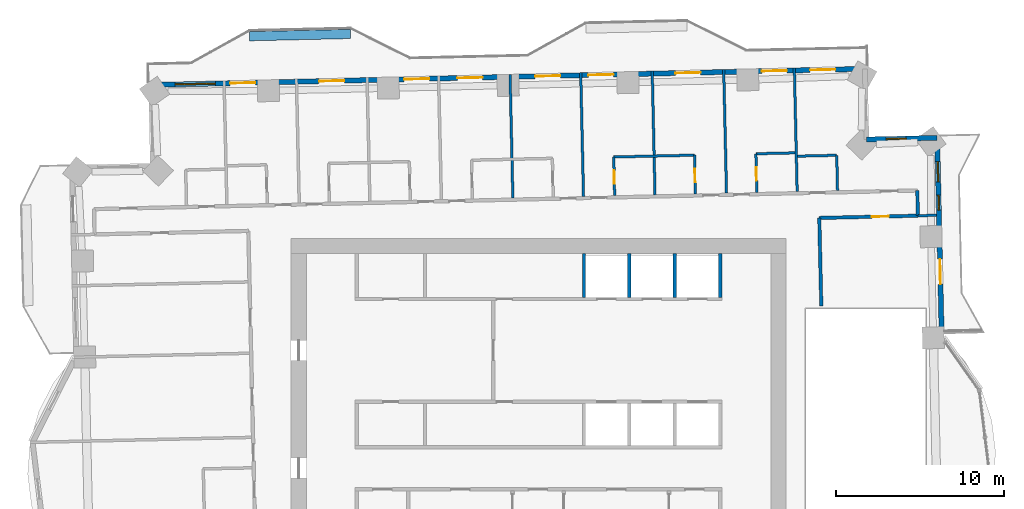
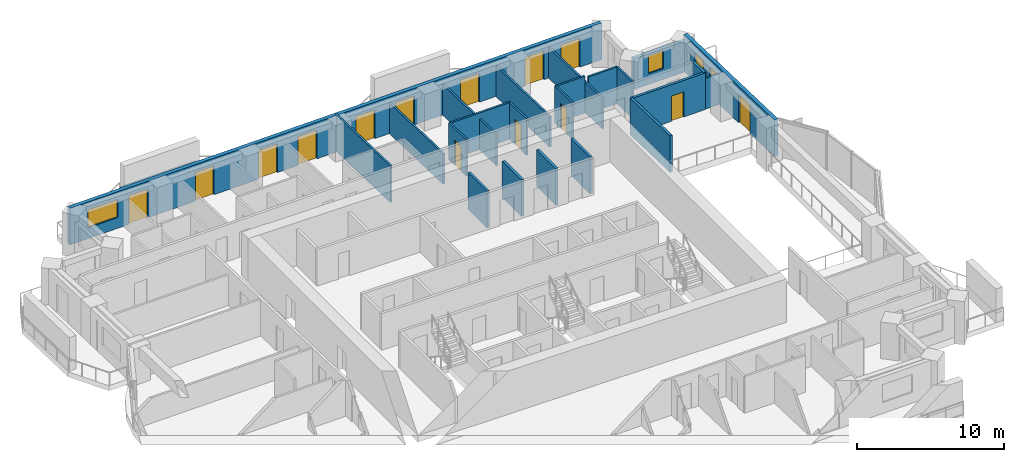
# One storey, part 11 of 16: 24 walls, 14 doors, 4 windows, 18 openings.
"""IFC4 building model written with IfcOpenShell, lengths in metres."""

from ifc_helpers import new_model, si_unit, direction, frame, frame_2d, origin, place, context, subcontext, project, spatial, rectangle, extrude, material, layer, layer_set, type_object, element, fill, save


model = new_model("IFC4")

# Units and contexts
model_context = context("Model", 3, precision=1e-05, world=origin(), true_north=direction((0.0, 1.0)))
body_context = subcontext(model_context, "Body", "Model", "MODEL_VIEW")
ifc_project = project(units=[si_unit("LENGTHUNIT", "METRE"), si_unit("AREAUNIT", "SQUARE_METRE"), si_unit("VOLUMEUNIT", "CUBIC_METRE"), si_unit("PLANEANGLEUNIT", "RADIAN"), si_unit("MASSUNIT", "GRAM", prefix="KILO")], contexts=[model_context])

# Site, building, storey
site_placement = place(None, origin())
site = spatial("IfcSite", under=ifc_project, at=site_placement, CompositionType="ELEMENT")
building_placement = place(site_placement, origin())
building = spatial("IfcBuilding", under=site, at=building_placement, Name="Mangrove Gate Tower", CompositionType="ELEMENT")
storey_placement = place(building_placement, frame((0.0, 0.0, 140.89990234375)))
storey = spatial("IfcBuildingStorey", under=building, at=storey_placement, Name="L35", CompositionType="ELEMENT", Elevation=140.89990234375)

# Walls
ifc_material_1 = material(Name="Concrete C70/85", Category="concrete")
ifc_layer_1 = layer(ifc_material_1, 0.199951171875)
ifc_layer_set_1 = layer_set([ifc_layer_1], Name="Core shaft wall 200 C70/85")
wall_type_1 = type_object("IfcWallType", Name="Core shaft wall 200 C70/85", PredefinedType="SHEAR", material=ifc_layer_set_1)
for number, where, z_axis, x_axis, name in (
    (1, (2.699951171875, 8.199951171875, 0.0), (0.0, 0.0, 1.0), (0.0, 1.0, 0.0), "WALL-L35-CORE-27"),
    (2, (5.39990234375, 8.199951171875, 0.0), (0.0, 0.0, 1.0), (0.0, 1.0, 0.0), "WALL-L35-CORE-28"),
    (3, (8.10009765625, 8.199951171875, 0.0), (0.0, 0.0, 1.0), (0.0, 1.0, 0.0), "WALL-L35-CORE-29"),
    (4, (10.800048828125, 8.199951171875, 0.0), (0.0, 0.0, 1.0), (0.0, 1.0, 0.0), "WALL-L35-CORE-30"),
):
    element("IfcWall", number, at=place(storey_placement, frame(where, z_axis=z_axis, x_axis=x_axis)), inside=storey, type_object=wall_type_1, Name=name, PredefinedType="SHEAR", context=body_context, shape_type="SweptSolid", body=[
        extrude(rectangle(XDim=2.60009765625, YDim=0.199951171875, at=frame_2d((1.300048828125, 0.0))), origin(), (0.0, 0.0, 1.0), 3.050048828125),
    ])
ifc_material_2 = material(Name="Gypsum board on steel stud, EI 60", Category="steel")
ifc_layer_2 = layer(ifc_material_2, 0.199951171875)
ifc_layer_set_2 = layer_set([ifc_layer_2], Name="Corridor wall EI 60")
wall_type_2 = type_object("IfcWallType", Name="Corridor wall EI 60", PredefinedType="PARTITIONING", material=ifc_layer_set_2)
wall_1_placement = place(storey_placement, frame((16.802978515625, 7.675048828125, 0.0), z_axis=(0.0, 0.0, 1.0), x_axis=(-0.022667483124, 0.999743059595, 0.0)))
element("IfcWall", 5, at=wall_1_placement, inside=storey, type_object=wall_type_2, Name="WALL-L35-047", PredefinedType="PARTITIONING", context=body_context, shape_type="SweptSolid", body=[
    extrude(rectangle(XDim=5.245361328125, YDim=0.199951171875, at=frame_2d((2.62255859375, 0.0))), origin(), (0.0, 0.0, 1.0), 3.050048828125),
])

# Wall, opening, door
wall_2_placement = place(storey_placement, frame((16.678955078125, 12.91796875, 0.0), z_axis=(0.0, 0.0, 1.0), x_axis=(0.999739057042, 0.022843332181, 0.0)))
wall_2 = element("IfcWall", 6, at=wall_2_placement, inside=storey, type_object=wall_type_2, Name="WALL-L35-052", PredefinedType="PARTITIONING", context=body_context, shape_type="SweptSolid", body=[
    extrude(rectangle(XDim=5.867431640625, YDim=0.199951171875, at=frame_2d((2.93359375, 0.0))), origin(), (0.0, 0.0, 1.0), 3.050048828125),
])
opening_1_placement = place(wall_2_placement, frame((3.134033203125, 0.0, 0.0)))
opening_1 = element("IfcOpeningElement", 7, at=opening_1_placement, cuts=wall_2, Name="Opening AD", PredefinedType="OPENING", context=body_context, shape_type="SweptSolid", body=[
    extrude(rectangle(XDim=1.0, YDim=2.10009765625, at=frame_2d((0.5, 1.050048828125))), frame((0.0, 0.10986328125, 0.0), z_axis=(0.0, -1.0, 0.0), x_axis=(1.0, 0.0, 0.0)), (0.0, 0.0, 1.0), 0.219970703125),
])
ifc_material_3 = material(Name="Timber door leaf", Category="wood")
door_type_1 = type_object("IfcDoorType", Name="Amenity door 1000", OperationType="SINGLE_SWING_LEFT", PredefinedType="DOOR", material=ifc_material_3)
door_1_placement = place(opening_1_placement, origin())
door_1 = element("IfcDoor", 8, at=door_1_placement, inside=storey, type_object=door_type_1, Name="DOOR-L35-GAM-c3b", OperationType="SINGLE_SWING_LEFT", OverallHeight=2.10009765625, OverallWidth=1.0, PredefinedType="DOOR", context=body_context, shape_type="SweptSolid", body=[
    extrude(rectangle(XDim=1.0, YDim=2.10009765625, at=frame_2d((0.5, 1.050048828125))), frame((0.0, 0.02490234375, 0.0), z_axis=(0.0, -1.0, 0.0), x_axis=(1.0, 0.0, 0.0)), (0.0, 0.0, 1.0), 0.050048828125),
])
fill(opening_1, door_1)

# Wall
wall_3_placement = place(storey_placement, frame((22.54296875, 13.052001953125, 0.0), z_axis=(0.0, 0.0, 1.0), x_axis=(-0.022632637625, 0.99974384905, 0.0)))
element("IfcWall", 9, at=wall_3_placement, inside=storey, type_object=wall_type_2, Name="WALL-L35-053", PredefinedType="PARTITIONING", context=body_context, shape_type="SweptSolid", body=[
    extrude(rectangle(XDim=1.49951171875, YDim=0.199951171875, at=frame_2d((0.749755859375, 0.0))), origin(), (0.0, 0.0, 1.0), 3.050048828125),
])

# Wall, openings, door, windows
ifc_material_4 = material(Name="Limestone", Category="masonry")
ifc_layer_3 = layer(ifc_material_4, 0.0400390625, Name="Limestone cladding")
ifc_material_5 = material(Name="Ventilated air gap")
ifc_layer_4 = layer(ifc_material_5, 0.0400390625, Name="Ventilated cavity")
ifc_material_6 = material(Name="Mineral wool insulation")
ifc_layer_5 = layer(ifc_material_6, 0.06005859375, Name="Insulation")
ifc_material_7 = material(Name="Breather membrane")
ifc_layer_6 = layer(ifc_material_7, 0.001953125, Name="Breather membrane")
ifc_material_8 = material(Name="Concrete C20/25 blockwork", Category="masonry")
ifc_layer_7 = layer(ifc_material_8, 0.14990234375, Name="Blockwork backing wall")
ifc_material_9 = material(Name="Gypsum plaster")
ifc_layer_8 = layer(ifc_material_9, 0.008056640625, Name="Internal plaster")
ifc_layer_set_3 = layer_set([ifc_layer_3, ifc_layer_4, ifc_layer_5, ifc_layer_6, ifc_layer_7, ifc_layer_8], Name="External wall 300 limestone cladding")
wall_type_3 = type_object("IfcWallType", Name="External wall 300 limestone cladding", PredefinedType="SOLIDWALL", material=ifc_layer_set_3)
wall_4_placement = place(storey_placement, frame((23.9609375, 5.751953125, 0.0), z_axis=(0.0, 0.0, 1.0), x_axis=(-0.022715362207, 0.999741972871, 0.0)))
wall_4 = element("IfcWall", 10, at=wall_4_placement, inside=storey, type_object=wall_type_3, Name="WALL-L35-E2", PredefinedType="SOLIDWALL", context=body_context, shape_type="SweptSolid", body=[
    extrude(rectangle(XDim=11.93017578125, YDim=0.300048828125, at=frame_2d((5.965087890625, 0.0))), origin(), (0.0, 0.0, 1.0), 3.050048828125),
])
opening_2_placement = place(wall_4_placement, frame((3.22802734375, 0.0, 0.0)))
opening_2 = element("IfcOpeningElement", 11, at=opening_2_placement, cuts=wall_4, Name="Opening BD1", PredefinedType="OPENING", context=body_context, shape_type="SweptSolid", body=[
    extrude(rectangle(XDim=1.5, YDim=2.39990234375, at=frame_2d((0.75, 1.199951171875))), frame((0.0, 0.159912109375, 0.0), z_axis=(0.0, -1.0, 0.0), x_axis=(1.0, 0.0, 0.0)), (0.0, 0.0, 1.0), 0.320068359375),
])
opening_3_placement = place(wall_4_placement, frame((7.62890625, 0.0, 0.89990234375)))
opening_3 = element("IfcOpeningElement", 12, at=opening_3_placement, cuts=wall_4, Name="Opening W5", PredefinedType="OPENING", context=body_context, shape_type="SweptSolid", body=[
    extrude(rectangle(XDim=0.89990234375, YDim=1.5, at=frame_2d((0.449951171875, 0.75))), frame((0.0, 0.159912109375, 0.0), z_axis=(0.0, -1.0, 0.0), x_axis=(1.0, 0.0, 0.0)), (0.0, 0.0, 1.0), 0.320068359375),
])
opening_4_placement = place(wall_4_placement, frame((9.31591796875, 0.0, 0.89990234375)))
opening_4 = element("IfcOpeningElement", 13, at=opening_4_placement, cuts=wall_4, Name="Opening W1", PredefinedType="OPENING", context=body_context, shape_type="SweptSolid", body=[
    extrude(rectangle(XDim=1.199951171875, YDim=1.5, at=frame_2d((0.60009765625, 0.75))), frame((0.0, 0.159912109375, 0.0), z_axis=(0.0, -1.0, 0.0), x_axis=(1.0, 0.0, 0.0)), (0.0, 0.0, 1.0), 0.320068359375),
])
ifc_material_10 = material(Name="Aluminium frame with laminated clear glass", Category="aluminium")
door_type_2 = type_object("IfcDoorType", Name="Balcony sliding door 1500x2400", OperationType="SLIDING_TO_LEFT", PredefinedType="DOOR", material=ifc_material_10)
door_2_placement = place(opening_2_placement, origin())
door_2 = element("IfcDoor", 14, at=door_2_placement, inside=storey, type_object=door_type_2, Name="DOOR-L35-E2-1", OperationType="SLIDING_TO_LEFT", OverallHeight=2.39990234375, OverallWidth=1.5, PredefinedType="DOOR", context=body_context, shape_type="SweptSolid", body=[
    extrude(rectangle(XDim=1.5, YDim=2.39990234375, at=frame_2d((0.75, 1.199951171875))), frame((0.0, 0.02490234375, 0.0), z_axis=(0.0, -1.0, 0.0), x_axis=(1.0, 0.0, 0.0)), (0.0, 0.0, 1.0), 0.050048828125),
])
fill(opening_2, door_2)
ifc_material_11 = material(Name="Aluminium frame with double-glazed low-e glass", Category="aluminium")
window_type_1 = type_object("IfcWindowType", Name="Narrow window 900x1500", PartitioningType="SINGLE_PANEL", PredefinedType="WINDOW", material=ifc_material_11)
window_1_placement = place(opening_3_placement, origin())
window_1 = element("IfcWindow", 15, at=window_1_placement, inside=storey, type_object=window_type_1, Name="WIN-L35-E2-2", OverallHeight=1.5, OverallWidth=0.89990234375, PartitioningType="SINGLE_PANEL", PredefinedType="WINDOW", context=body_context, shape_type="SweptSolid", body=[
    extrude(rectangle(XDim=0.89990234375, YDim=1.5, at=frame_2d((0.449951171875, 0.75))), frame((0.0, 0.030029296875, 0.0), z_axis=(0.0, -1.0, 0.0), x_axis=(1.0, 0.0, 0.0)), (0.0, 0.0, 1.0), 0.06005859375),
])
fill(opening_3, window_1)
ifc_material_12 = material(Name="Aluminium frame with double-glazed low-e glass", Category="aluminium")
window_type_2 = type_object("IfcWindowType", Name="Side lite 1200x1500", PartitioningType="SINGLE_PANEL", PredefinedType="WINDOW", material=ifc_material_12)
window_2_placement = place(opening_4_placement, origin())
window_2 = element("IfcWindow", 16, at=window_2_placement, inside=storey, type_object=window_type_2, Name="WIN-L35-E2-3", OverallHeight=1.5, OverallWidth=1.199951171875, PartitioningType="SINGLE_PANEL", PredefinedType="WINDOW", context=body_context, shape_type="SweptSolid", body=[
    extrude(rectangle(XDim=1.199951171875, YDim=1.5, at=frame_2d((0.60009765625, 0.75))), frame((0.0, 0.030029296875, 0.0), z_axis=(0.0, -1.0, 0.0), x_axis=(1.0, 0.0, 0.0)), (0.0, 0.0, 1.0), 0.06005859375),
])
fill(opening_4, window_2)

# Wall, opening, window
wall_5_placement = place(storey_placement, frame((23.68994140625, 17.678955078125, 0.0), z_axis=(0.0, 0.0, 1.0), x_axis=(-0.999739037152, -0.022844202663, 0.0)))
wall_5 = element("IfcWall", 17, at=wall_5_placement, inside=storey, type_object=wall_type_3, Name="WALL-L35-N3", PredefinedType="SOLIDWALL", context=body_context, shape_type="SweptSolid", body=[
    extrude(rectangle(XDim=4.199951171875, YDim=0.300048828125, at=frame_2d((2.10009765625, 0.0))), origin(), (0.0, 0.0, 1.0), 2.550048828125),
])
opening_5_placement = place(wall_5_placement, frame((1.839111328125, 0.0, 0.89990234375)))
opening_5 = element("IfcOpeningElement", 18, at=opening_5_placement, cuts=wall_5, Name="Opening W1", PredefinedType="OPENING", context=body_context, shape_type="SweptSolid", body=[
    extrude(rectangle(XDim=1.199951171875, YDim=1.5, at=frame_2d((0.60009765625, 0.75))), frame((0.0, 0.159912109375, 0.0), z_axis=(0.0, -1.0, 0.0), x_axis=(1.0, 0.0, 0.0)), (0.0, 0.0, 1.0), 0.320068359375),
])
window_3_placement = place(opening_5_placement, origin())
window_3 = element("IfcWindow", 19, at=window_3_placement, inside=storey, type_object=window_type_2, Name="WIN-L35-N3-1", OverallHeight=1.5, OverallWidth=1.199951171875, PartitioningType="SINGLE_PANEL", PredefinedType="WINDOW", context=body_context, shape_type="SweptSolid", body=[
    extrude(rectangle(XDim=1.199951171875, YDim=1.5, at=frame_2d((0.60009765625, 0.75))), frame((0.0, 0.030029296875, 0.0), z_axis=(0.0, -1.0, 0.0), x_axis=(1.0, 0.0, 0.0)), (0.0, 0.0, 1.0), 0.06005859375),
])
fill(opening_5, window_3)

# Wall, openings, doors, window
wall_6_placement = place(storey_placement, frame((19.39599609375, 21.781982421875, 0.0), z_axis=(0.0, 0.0, 1.0), x_axis=(-0.999742636707, -0.022686126826, 0.0)))
wall_6 = element("IfcWall", 20, at=wall_6_placement, inside=storey, type_object=wall_type_3, Name="WALL-L35-N5", PredefinedType="SOLIDWALL", context=body_context, shape_type="SweptSolid", body=[
    extrude(rectangle(XDim=42.444091796875, YDim=0.300048828125, at=frame_2d((21.22216796875, 0.0))), origin(), (0.0, 0.0, 1.0), 3.050048828125),
])
opening_6_placement = place(wall_6_placement, frame((1.757080078125, 0.0, 0.0)))
opening_6 = element("IfcOpeningElement", 21, at=opening_6_placement, cuts=wall_6, Name="Opening BD1", PredefinedType="OPENING", context=body_context, shape_type="SweptSolid", body=[
    extrude(rectangle(XDim=1.5, YDim=2.39990234375, at=frame_2d((0.75, 1.199951171875))), frame((0.0, 0.159912109375, 0.0), z_axis=(0.0, -1.0, 0.0), x_axis=(1.0, 0.0, 0.0)), (0.0, 0.0, 1.0), 0.320068359375),
])
opening_7_placement = place(wall_6_placement, frame((4.634033203125, 0.0, 0.0)))
opening_7 = element("IfcOpeningElement", 22, at=opening_7_placement, cuts=wall_6, Name="Opening BD1", PredefinedType="OPENING", context=body_context, shape_type="SweptSolid", body=[
    extrude(rectangle(XDim=1.5, YDim=2.39990234375, at=frame_2d((0.75, 1.199951171875))), frame((0.0, 0.159912109375, 0.0), z_axis=(0.0, -1.0, 0.0), x_axis=(1.0, 0.0, 0.0)), (0.0, 0.0, 1.0), 0.320068359375),
])
opening_8_placement = place(wall_6_placement, frame((9.76904296875, 0.0, 0.0)))
opening_8 = element("IfcOpeningElement", 23, at=opening_8_placement, cuts=wall_6, Name="Opening BD1", PredefinedType="OPENING", context=body_context, shape_type="SweptSolid", body=[
    extrude(rectangle(XDim=1.5, YDim=2.39990234375, at=frame_2d((0.75, 1.199951171875))), frame((0.0, 0.159912109375, 0.0), z_axis=(0.0, -1.0, 0.0), x_axis=(1.0, 0.0, 0.0)), (0.0, 0.0, 1.0), 0.320068359375),
])
opening_9_placement = place(wall_6_placement, frame((14.946044921875, 0.0, 0.0)))
opening_9 = element("IfcOpeningElement", 24, at=opening_9_placement, cuts=wall_6, Name="Opening BD1", PredefinedType="OPENING", context=body_context, shape_type="SweptSolid", body=[
    extrude(rectangle(XDim=1.5, YDim=2.39990234375, at=frame_2d((0.75, 1.199951171875))), frame((0.0, 0.159912109375, 0.0), z_axis=(0.0, -1.0, 0.0), x_axis=(1.0, 0.0, 0.0)), (0.0, 0.0, 1.0), 0.320068359375),
])
opening_10_placement = place(wall_6_placement, frame((18.10791015625, 0.0, 0.0)))
opening_10 = element("IfcOpeningElement", 25, at=opening_10_placement, cuts=wall_6, Name="Opening BD1", PredefinedType="OPENING", context=body_context, shape_type="SweptSolid", body=[
    extrude(rectangle(XDim=1.5, YDim=2.39990234375, at=frame_2d((0.75, 1.199951171875))), frame((0.0, 0.159912109375, 0.0), z_axis=(0.0, -1.0, 0.0), x_axis=(1.0, 0.0, 0.0)), (0.0, 0.0, 1.0), 0.320068359375),
])
opening_11_placement = place(wall_6_placement, frame((22.73291015625, 0.0, 0.0)))
opening_11 = element("IfcOpeningElement", 26, at=opening_11_placement, cuts=wall_6, Name="Opening BD1", PredefinedType="OPENING", context=body_context, shape_type="SweptSolid", body=[
    extrude(rectangle(XDim=1.5, YDim=2.39990234375, at=frame_2d((0.75, 1.199951171875))), frame((0.0, 0.159912109375, 0.0), z_axis=(0.0, -1.0, 0.0), x_axis=(1.0, 0.0, 0.0)), (0.0, 0.0, 1.0), 0.320068359375),
])
opening_12_placement = place(wall_6_placement, frame((25.89501953125, 0.0, 0.0)))
opening_12 = element("IfcOpeningElement", 27, at=opening_12_placement, cuts=wall_6, Name="Opening BD1", PredefinedType="OPENING", context=body_context, shape_type="SweptSolid", body=[
    extrude(rectangle(XDim=1.5, YDim=2.39990234375, at=frame_2d((0.75, 1.199951171875))), frame((0.0, 0.159912109375, 0.0), z_axis=(0.0, -1.0, 0.0), x_axis=(1.0, 0.0, 0.0)), (0.0, 0.0, 1.0), 0.320068359375),
])
opening_13_placement = place(wall_6_placement, frame((30.944091796875, 0.0, 0.0)))
opening_13 = element("IfcOpeningElement", 28, at=opening_13_placement, cuts=wall_6, Name="Opening BD1", PredefinedType="OPENING", context=body_context, shape_type="SweptSolid", body=[
    extrude(rectangle(XDim=1.5, YDim=2.39990234375, at=frame_2d((0.75, 1.199951171875))), frame((0.0, 0.159912109375, 0.0), z_axis=(0.0, -1.0, 0.0), x_axis=(1.0, 0.0, 0.0)), (0.0, 0.0, 1.0), 0.320068359375),
])
opening_14_placement = place(wall_6_placement, frame((36.23193359375, 0.0, 0.0)))
opening_14 = element("IfcOpeningElement", 29, at=opening_14_placement, cuts=wall_6, Name="Opening BD1", PredefinedType="OPENING", context=body_context, shape_type="SweptSolid", body=[
    extrude(rectangle(XDim=1.5, YDim=2.39990234375, at=frame_2d((0.75, 1.199951171875))), frame((0.0, 0.159912109375, 0.0), z_axis=(0.0, -1.0, 0.0), x_axis=(1.0, 0.0, 0.0)), (0.0, 0.0, 1.0), 0.320068359375),
])
opening_15_placement = place(wall_6_placement, frame((38.612060546875, 0.0, 0.89990234375)))
opening_15 = element("IfcOpeningElement", 30, at=opening_15_placement, cuts=wall_6, Name="Opening W2", PredefinedType="OPENING", context=body_context, shape_type="SweptSolid", body=[
    extrude(rectangle(XDim=2.39990234375, YDim=1.5, at=frame_2d((1.199951171875, 0.75))), frame((0.0, 0.159912109375, 0.0), z_axis=(0.0, -1.0, 0.0), x_axis=(1.0, 0.0, 0.0)), (0.0, 0.0, 1.0), 0.320068359375),
])
door_3_placement = place(opening_6_placement, origin())
door_3 = element("IfcDoor", 31, at=door_3_placement, inside=storey, type_object=door_type_2, Name="DOOR-L35-N5-1", OperationType="SLIDING_TO_LEFT", OverallHeight=2.39990234375, OverallWidth=1.5, PredefinedType="DOOR", context=body_context, shape_type="SweptSolid", body=[
    extrude(rectangle(XDim=1.5, YDim=2.39990234375, at=frame_2d((0.75, 1.199951171875))), frame((0.0, 0.02490234375, 0.0), z_axis=(0.0, -1.0, 0.0), x_axis=(1.0, 0.0, 0.0)), (0.0, 0.0, 1.0), 0.050048828125),
])
fill(opening_6, door_3)
door_4_placement = place(opening_7_placement, origin())
door_4 = element("IfcDoor", 32, at=door_4_placement, inside=storey, type_object=door_type_2, Name="DOOR-L35-N5-2", OperationType="SLIDING_TO_LEFT", OverallHeight=2.39990234375, OverallWidth=1.5, PredefinedType="DOOR", context=body_context, shape_type="SweptSolid", body=[
    extrude(rectangle(XDim=1.5, YDim=2.39990234375, at=frame_2d((0.75, 1.199951171875))), frame((0.0, 0.02490234375, 0.0), z_axis=(0.0, -1.0, 0.0), x_axis=(1.0, 0.0, 0.0)), (0.0, 0.0, 1.0), 0.050048828125),
])
fill(opening_7, door_4)
door_5_placement = place(opening_8_placement, origin())
door_5 = element("IfcDoor", 33, at=door_5_placement, inside=storey, type_object=door_type_2, Name="DOOR-L35-N5-3", OperationType="SLIDING_TO_LEFT", OverallHeight=2.39990234375, OverallWidth=1.5, PredefinedType="DOOR", context=body_context, shape_type="SweptSolid", body=[
    extrude(rectangle(XDim=1.5, YDim=2.39990234375, at=frame_2d((0.75, 1.199951171875))), frame((0.0, 0.02490234375, 0.0), z_axis=(0.0, -1.0, 0.0), x_axis=(1.0, 0.0, 0.0)), (0.0, 0.0, 1.0), 0.050048828125),
])
fill(opening_8, door_5)
door_6_placement = place(opening_9_placement, origin())
door_6 = element("IfcDoor", 34, at=door_6_placement, inside=storey, type_object=door_type_2, Name="DOOR-L35-N5-4", OperationType="SLIDING_TO_LEFT", OverallHeight=2.39990234375, OverallWidth=1.5, PredefinedType="DOOR", context=body_context, shape_type="SweptSolid", body=[
    extrude(rectangle(XDim=1.5, YDim=2.39990234375, at=frame_2d((0.75, 1.199951171875))), frame((0.0, 0.02490234375, 0.0), z_axis=(0.0, -1.0, 0.0), x_axis=(1.0, 0.0, 0.0)), (0.0, 0.0, 1.0), 0.050048828125),
])
fill(opening_9, door_6)
door_7_placement = place(opening_10_placement, origin())
door_7 = element("IfcDoor", 35, at=door_7_placement, inside=storey, type_object=door_type_2, Name="DOOR-L35-N5-5", OperationType="SLIDING_TO_LEFT", OverallHeight=2.39990234375, OverallWidth=1.5, PredefinedType="DOOR", context=body_context, shape_type="SweptSolid", body=[
    extrude(rectangle(XDim=1.5, YDim=2.39990234375, at=frame_2d((0.75, 1.199951171875))), frame((0.0, 0.02490234375, 0.0), z_axis=(0.0, -1.0, 0.0), x_axis=(1.0, 0.0, 0.0)), (0.0, 0.0, 1.0), 0.050048828125),
])
fill(opening_10, door_7)
door_8_placement = place(opening_11_placement, origin())
door_8 = element("IfcDoor", 36, at=door_8_placement, inside=storey, type_object=door_type_2, Name="DOOR-L35-N5-6", OperationType="SLIDING_TO_LEFT", OverallHeight=2.39990234375, OverallWidth=1.5, PredefinedType="DOOR", context=body_context, shape_type="SweptSolid", body=[
    extrude(rectangle(XDim=1.5, YDim=2.39990234375, at=frame_2d((0.75, 1.199951171875))), frame((0.0, 0.02490234375, 0.0), z_axis=(0.0, -1.0, 0.0), x_axis=(1.0, 0.0, 0.0)), (0.0, 0.0, 1.0), 0.050048828125),
])
fill(opening_11, door_8)
door_9_placement = place(opening_12_placement, origin())
door_9 = element("IfcDoor", 37, at=door_9_placement, inside=storey, type_object=door_type_2, Name="DOOR-L35-N5-7", OperationType="SLIDING_TO_LEFT", OverallHeight=2.39990234375, OverallWidth=1.5, PredefinedType="DOOR", context=body_context, shape_type="SweptSolid", body=[
    extrude(rectangle(XDim=1.5, YDim=2.39990234375, at=frame_2d((0.75, 1.199951171875))), frame((0.0, 0.02490234375, 0.0), z_axis=(0.0, -1.0, 0.0), x_axis=(1.0, 0.0, 0.0)), (0.0, 0.0, 1.0), 0.050048828125),
])
fill(opening_12, door_9)
door_10_placement = place(opening_13_placement, origin())
door_10 = element("IfcDoor", 38, at=door_10_placement, inside=storey, type_object=door_type_2, Name="DOOR-L35-N5-8", OperationType="SLIDING_TO_LEFT", OverallHeight=2.39990234375, OverallWidth=1.5, PredefinedType="DOOR", context=body_context, shape_type="SweptSolid", body=[
    extrude(rectangle(XDim=1.5, YDim=2.39990234375, at=frame_2d((0.75, 1.199951171875))), frame((0.0, 0.02490234375, 0.0), z_axis=(0.0, -1.0, 0.0), x_axis=(1.0, 0.0, 0.0)), (0.0, 0.0, 1.0), 0.050048828125),
])
fill(opening_13, door_10)
door_11_placement = place(opening_14_placement, origin())
door_11 = element("IfcDoor", 39, at=door_11_placement, inside=storey, type_object=door_type_2, Name="DOOR-L35-N5-9", OperationType="SLIDING_TO_LEFT", OverallHeight=2.39990234375, OverallWidth=1.5, PredefinedType="DOOR", context=body_context, shape_type="SweptSolid", body=[
    extrude(rectangle(XDim=1.5, YDim=2.39990234375, at=frame_2d((0.75, 1.199951171875))), frame((0.0, 0.02490234375, 0.0), z_axis=(0.0, -1.0, 0.0), x_axis=(1.0, 0.0, 0.0)), (0.0, 0.0, 1.0), 0.050048828125),
])
fill(opening_14, door_11)
ifc_material_13 = material(Name="Aluminium frame with double-glazed low-e glass", Category="aluminium")
window_type_3 = type_object("IfcWindowType", Name="Corner room window 2400x1500", PartitioningType="DOUBLE_PANEL_VERTICAL", PredefinedType="WINDOW", material=ifc_material_13)
window_4_placement = place(opening_15_placement, origin())
window_4 = element("IfcWindow", 40, at=window_4_placement, inside=storey, type_object=window_type_3, Name="WIN-L35-N5-10", OverallHeight=1.5, OverallWidth=2.39990234375, PartitioningType="DOUBLE_PANEL_VERTICAL", PredefinedType="WINDOW", context=body_context, shape_type="SweptSolid", body=[
    extrude(rectangle(XDim=2.39990234375, YDim=1.5, at=frame_2d((1.199951171875, 0.75))), frame((0.0, 0.030029296875, 0.0), z_axis=(0.0, -1.0, 0.0), x_axis=(1.0, 0.0, 0.0)), (0.0, 0.0, 1.0), 0.06005859375),
])
fill(opening_15, window_4)

# Walls
ifc_material_14 = material(Name="Gypsum board on steel stud, EI 60", Category="steel")
ifc_layer_9 = layer(ifc_material_14, 0.14990234375)
ifc_layer_set_4 = layer_set([ifc_layer_9], Name="Party wall 150 EI 60")
wall_type_4 = type_object("IfcWallType", Name="Party wall 150 EI 60", PredefinedType="PARTITIONING", material=ifc_layer_set_4)
wall_7_placement = place(storey_placement, frame((22.544921875, 13.052001953125, 0.0), z_axis=(0.0, 0.0, 1.0), x_axis=(0.999743438074, 0.022650784248, 0.0)))
element("IfcWall", 41, at=wall_7_placement, inside=storey, type_object=wall_type_4, Name="WALL-L35-054", PredefinedType="PARTITIONING", context=body_context, shape_type="SweptSolid", body=[
    extrude(rectangle(XDim=1.099365234375, YDim=0.14990234375, at=frame_2d((0.5498046875, 0.0))), origin(), (0.0, 0.0, 1.0), 2.550048828125),
])
wall_8_placement = place(storey_placement, frame((-1.527099609375, 14.10595703125, 0.0), z_axis=(0.0, 0.0, 1.0), x_axis=(-0.022719896304, 0.99974186984, 0.0)))
element("IfcWall", 42, at=wall_8_placement, inside=storey, type_object=wall_type_4, Name="WALL-L35-065", PredefinedType="PARTITIONING", context=body_context, shape_type="SweptSolid", body=[
    extrude(rectangle(XDim=7.35009765625, YDim=0.14990234375, at=frame_2d((3.675048828125, 0.0))), origin(), (0.0, 0.0, 1.0), 3.050048828125),
])
wall_9_placement = place(storey_placement, frame((2.6708984375, 14.200927734375, 0.0), z_axis=(0.0, 0.0, 1.0), x_axis=(-0.022587099398, 0.999744878927, 0.0)))
element("IfcWall", 43, at=wall_9_placement, inside=storey, type_object=wall_type_4, Name="WALL-L35-067", PredefinedType="PARTITIONING", context=body_context, shape_type="SweptSolid", body=[
    extrude(rectangle(XDim=7.35009765625, YDim=0.14990234375, at=frame_2d((3.675048828125, 0.0))), origin(), (0.0, 0.0, 1.0), 2.550048828125),
])

# Wall, opening, door
wall_10_placement = place(storey_placement, frame((4.52099609375, 14.242919921875, 0.0), z_axis=(0.0, 0.0, 1.0), x_axis=(-0.022612884682, 0.999744296031, 0.0)))
wall_10 = element("IfcWall", 44, at=wall_10_placement, inside=storey, type_object=wall_type_4, Name="WALL-L35-068", PredefinedType="PARTITIONING", context=body_context, shape_type="SweptSolid", body=[
    extrude(rectangle(XDim=2.299560546875, YDim=0.14990234375, at=frame_2d((1.14990234375, 0.0))), origin(), (0.0, 0.0, 1.0), 3.050048828125),
])
opening_16_placement = place(wall_10_placement, frame((0.699951171875, 0.0, 0.0)))
opening_16 = element("IfcOpeningElement", 45, at=opening_16_placement, cuts=wall_10, Name="Opening ED", PredefinedType="OPENING", context=body_context, shape_type="SweptSolid", body=[
    extrude(rectangle(XDim=0.800048828125, YDim=2.10009765625, at=frame_2d((0.39990234375, 1.050048828125))), frame((0.0, 0.0849609375, 0.0), z_axis=(0.0, -1.0, 0.0), x_axis=(1.0, 0.0, 0.0)), (0.0, 0.0, 1.0), 0.169921875),
])
ifc_material_15 = material(Name="Timber door leaf", Category="wood")
door_type_3 = type_object("IfcDoorType", Name="En-suite door 800", OperationType="SINGLE_SWING_LEFT", PredefinedType="DOOR", material=ifc_material_15)
door_12_placement = place(opening_16_placement, origin())
door_12 = element("IfcDoor", 46, at=door_12_placement, inside=storey, type_object=door_type_3, Name="DOOR-L35-ENS-c410", OperationType="SINGLE_SWING_RIGHT", OverallHeight=2.10009765625, OverallWidth=0.800048828125, PredefinedType="DOOR", context=body_context, shape_type="SweptSolid", body=[
    extrude(rectangle(XDim=0.800048828125, YDim=2.10009765625, at=frame_2d((0.39990234375, 1.050048828125))), frame((0.0, 0.02490234375, 0.0), z_axis=(0.0, -1.0, 0.0), x_axis=(1.0, 0.0, 0.0)), (0.0, 0.0, 1.0), 0.050048828125),
])
fill(opening_16, door_12)

# Wall
wall_11_placement = place(storey_placement, frame((6.919921875, 14.297119140625, 0.0), z_axis=(0.0, 0.0, 1.0), x_axis=(-0.022584849415, 0.999744929758, 0.0)))
element("IfcWall", 47, at=wall_11_placement, inside=storey, type_object=wall_type_4, Name="WALL-L35-069", PredefinedType="PARTITIONING", context=body_context, shape_type="SweptSolid", body=[
    extrude(rectangle(XDim=7.350830078125, YDim=0.14990234375, at=frame_2d((3.67529296875, 0.0))), origin(), (0.0, 0.0, 1.0), 2.550048828125),
])

# Wall, opening, door
wall_12_placement = place(storey_placement, frame((9.320068359375, 14.35205078125, 0.0), z_axis=(0.0, 0.0, 1.0), x_axis=(-0.022615284993, 0.999744241736, 0.0)))
wall_12 = element("IfcWall", 48, at=wall_12_placement, inside=storey, type_object=wall_type_4, Name="WALL-L35-070", PredefinedType="PARTITIONING", context=body_context, shape_type="SweptSolid", body=[
    extrude(rectangle(XDim=2.29931640625, YDim=0.14990234375, at=frame_2d((1.149658203125, 0.0))), origin(), (0.0, 0.0, 1.0), 3.050048828125),
])
opening_17_placement = place(wall_12_placement, frame((0.699951171875, 0.0, 0.0)))
opening_17 = element("IfcOpeningElement", 49, at=opening_17_placement, cuts=wall_12, Name="Opening ED", PredefinedType="OPENING", context=body_context, shape_type="SweptSolid", body=[
    extrude(rectangle(XDim=0.800048828125, YDim=2.10009765625, at=frame_2d((0.39990234375, 1.050048828125))), frame((0.0, 0.0849609375, 0.0), z_axis=(0.0, -1.0, 0.0), x_axis=(1.0, 0.0, 0.0)), (0.0, 0.0, 1.0), 0.169921875),
])
door_13_placement = place(opening_17_placement, origin())
door_13 = element("IfcDoor", 50, at=door_13_placement, inside=storey, type_object=door_type_3, Name="DOOR-L35-ENS-c309", OperationType="SINGLE_SWING_LEFT", OverallHeight=2.10009765625, OverallWidth=0.800048828125, PredefinedType="DOOR", context=body_context, shape_type="SweptSolid", body=[
    extrude(rectangle(XDim=0.800048828125, YDim=2.10009765625, at=frame_2d((0.39990234375, 1.050048828125))), frame((0.0, 0.02490234375, 0.0), z_axis=(0.0, -1.0, 0.0), x_axis=(1.0, 0.0, 0.0)), (0.0, 0.0, 1.0), 0.050048828125),
])
fill(opening_17, door_13)

# Wall
wall_13_placement = place(storey_placement, frame((11.1689453125, 14.39404296875, 0.0), z_axis=(0.0, 0.0, 1.0), x_axis=(-0.022587849492, 0.99974486198, 0.0)))
element("IfcWall", 51, at=wall_13_placement, inside=storey, type_object=wall_type_4, Name="WALL-L35-071", PredefinedType="PARTITIONING", context=body_context, shape_type="SweptSolid", body=[
    extrude(rectangle(XDim=7.349853515625, YDim=0.14990234375, at=frame_2d((3.6748046875, 0.0))), origin(), (0.0, 0.0, 1.0), 2.550048828125),
])

# Wall, opening, door
wall_14_placement = place(storey_placement, frame((12.968994140625, 14.43505859375, 0.0), z_axis=(0.0, 0.0, 1.0), x_axis=(-0.022615284993, 0.999744241736, 0.0)))
wall_14 = element("IfcWall", 52, at=wall_14_placement, inside=storey, type_object=wall_type_4, Name="WALL-L35-072", PredefinedType="PARTITIONING", context=body_context, shape_type="SweptSolid", body=[
    extrude(rectangle(XDim=2.29931640625, YDim=0.14990234375, at=frame_2d((1.149658203125, 0.0))), origin(), (0.0, 0.0, 1.0), 3.050048828125),
])
opening_18_placement = place(wall_14_placement, frame((0.699951171875, 0.0, 0.0)))
opening_18 = element("IfcOpeningElement", 53, at=opening_18_placement, cuts=wall_14, Name="Opening ED", PredefinedType="OPENING", context=body_context, shape_type="SweptSolid", body=[
    extrude(rectangle(XDim=0.800048828125, YDim=2.10009765625, at=frame_2d((0.39990234375, 1.050048828125))), frame((0.0, 0.0849609375, 0.0), z_axis=(0.0, -1.0, 0.0), x_axis=(1.0, 0.0, 0.0)), (0.0, 0.0, 1.0), 0.169921875),
])
door_14_placement = place(opening_18_placement, origin())
door_14 = element("IfcDoor", 54, at=door_14_placement, inside=storey, type_object=door_type_3, Name="DOOR-L35-ENS-c308", OperationType="SINGLE_SWING_RIGHT", OverallHeight=2.10009765625, OverallWidth=0.800048828125, PredefinedType="DOOR", context=body_context, shape_type="SweptSolid", body=[
    extrude(rectangle(XDim=0.800048828125, YDim=2.10009765625, at=frame_2d((0.39990234375, 1.050048828125))), frame((0.0, 0.02490234375, 0.0), z_axis=(0.0, -1.0, 0.0), x_axis=(1.0, 0.0, 0.0)), (0.0, 0.0, 1.0), 0.050048828125),
])
fill(opening_18, door_14)

# Walls
wall_15_placement = place(storey_placement, frame((15.367919921875, 14.489013671875, 0.0), z_axis=(0.0, 0.0, 1.0), x_axis=(-0.022720650804, 0.999741852694, 0.0)))
element("IfcWall", 55, at=wall_15_placement, inside=storey, type_object=wall_type_4, Name="WALL-L35-073", PredefinedType="PARTITIONING", context=body_context, shape_type="SweptSolid", body=[
    extrude(rectangle(XDim=7.349853515625, YDim=0.14990234375, at=frame_2d((3.6748046875, 0.0))), origin(), (0.0, 0.0, 1.0), 2.550048828125),
])
wall_16_placement = place(storey_placement, frame((17.76806640625, 14.5439453125, 0.0), z_axis=(0.0, 0.0, 1.0), x_axis=(-0.022906293375, 0.999737616439, 0.0)))
element("IfcWall", 56, at=wall_16_placement, inside=storey, type_object=wall_type_4, Name="WALL-L35-074", PredefinedType="PARTITIONING", context=body_context, shape_type="SweptSolid", body=[
    extrude(rectangle(XDim=2.099609375, YDim=0.14990234375, at=frame_2d((1.0498046875, 0.0))), origin(), (0.0, 0.0, 1.0), 3.050048828125),
])
wall_17_placement = place(storey_placement, frame((15.39404296875, 16.590087890625, 0.0), z_axis=(0.0, 0.0, 1.0), x_axis=(0.999740260747, 0.02279059109, 0.0)))
element("IfcWall", 57, at=wall_17_placement, inside=storey, type_object=wall_type_4, Name="WALL-L35-076", PredefinedType="PARTITIONING", context=body_context, shape_type="SweptSolid", body=[
    extrude(rectangle(XDim=2.324462890625, YDim=0.14990234375, at=frame_2d((1.162109375, 0.0))), origin(), (0.0, 0.0, 1.0), 3.050048828125),
])
wall_18_placement = place(storey_placement, frame((4.467041015625, 16.5419921875, 0.0), z_axis=(0.0, 0.0, 1.0), x_axis=(0.999742701292, 0.022683280499, 0.0)))
element("IfcWall", 58, at=wall_18_placement, inside=storey, type_object=wall_type_4, Name="WALL-L35-080", PredefinedType="PARTITIONING", context=body_context, shape_type="SweptSolid", body=[
    extrude(rectangle(XDim=4.80029296875, YDim=0.14990234375, at=frame_2d((2.400146484375, 0.0))), origin(), (0.0, 0.0, 1.0), 3.050048828125),
])
wall_19_placement = place(storey_placement, frame((12.9150390625, 16.73388671875, 0.0), z_axis=(0.0, 0.0, 1.0), x_axis=(0.999737862264, 0.022895561926, 0.0)))
element("IfcWall", 59, at=wall_19_placement, inside=storey, type_object=wall_type_4, Name="WALL-L35-081", PredefinedType="PARTITIONING", context=body_context, shape_type="SweptSolid", body=[
    extrude(rectangle(XDim=2.324462890625, YDim=0.14990234375, at=frame_2d((1.162109375, 0.0))), origin(), (0.0, 0.0, 1.0), 3.050048828125),
])
ifc_material_16 = material(Name="Concrete C32/40", Category="concrete")
ifc_layer_10 = layer(ifc_material_16, 0.199951171875, Name="Planter trough wall")
ifc_material_17 = material(Name="Bituminous waterproofing membrane")
ifc_layer_11 = layer(ifc_material_17, 0.0048828125, Name="Waterproofing")
ifc_material_18 = material(Name="Drainage board and gravel")
ifc_layer_12 = layer(ifc_material_18, 0.044921875, Name="Drainage layer")
ifc_material_19 = material(Name="Planting soil")
ifc_layer_13 = layer(ifc_material_19, 0.300048828125, Name="Growing medium")
ifc_layer_set_5 = layer_set([ifc_layer_10, ifc_layer_11, ifc_layer_12, ifc_layer_13], Name="Planter wall 550 C32/40")
wall_type_5 = type_object("IfcWallType", Name="Planter wall 550 C32/40", PredefinedType="USERDEFINED", material=ifc_layer_set_5)
wall_20_placement = place(storey_placement, frame((-17.179931640625, 23.718017578125, 0.0), z_axis=(0.0, 0.0, 1.0), x_axis=(0.999743178102, 0.022662255828, 0.0)))
element("IfcWall", 60, at=wall_20_placement, inside=storey, type_object=wall_type_5, Name="PLANTER L35 N1.1", ObjectType="PLANTER", PredefinedType="USERDEFINED", context=body_context, shape_type="SweptSolid", body=[
    extrude(rectangle(XDim=6.00048828125, YDim=0.550048828125, at=frame_2d((3.000244140625, 0.0))), origin(), (0.0, 0.0, 1.0), 0.800048828125),
])

save(model, "model.ifc")
